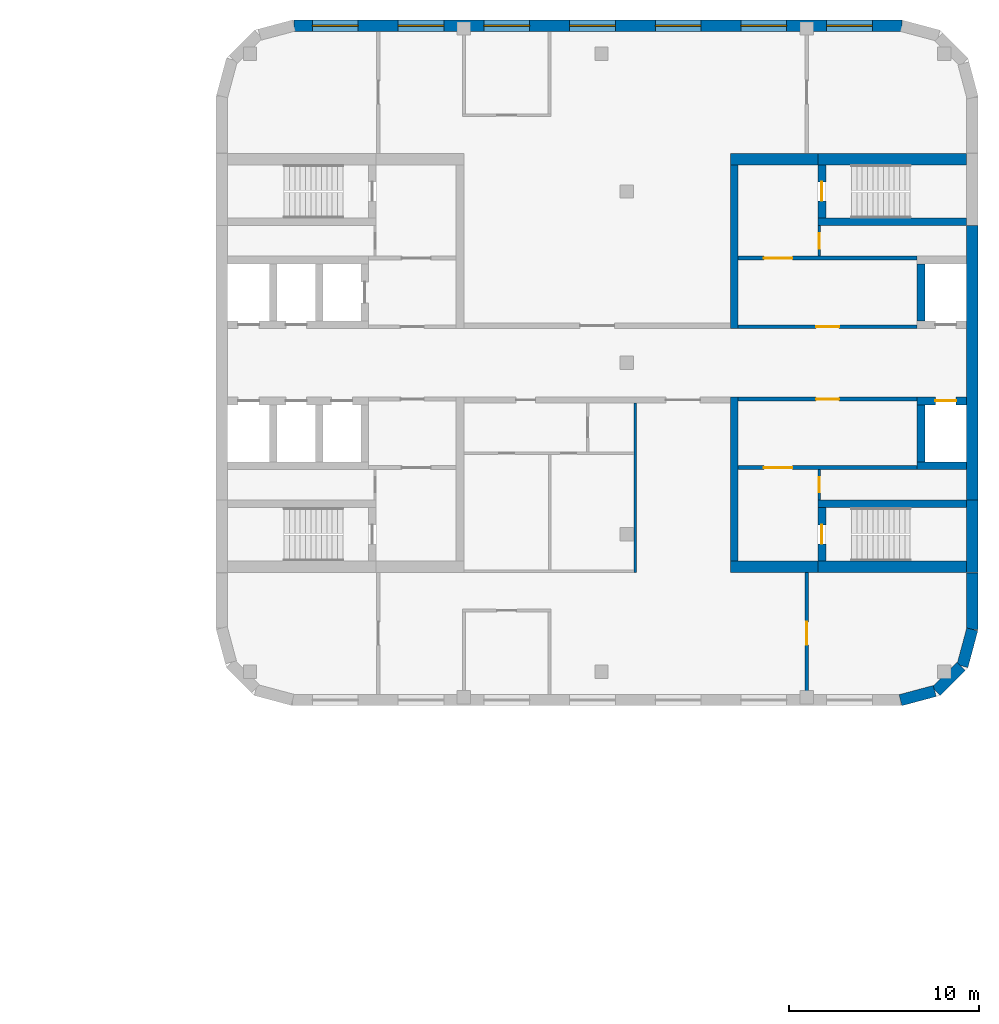
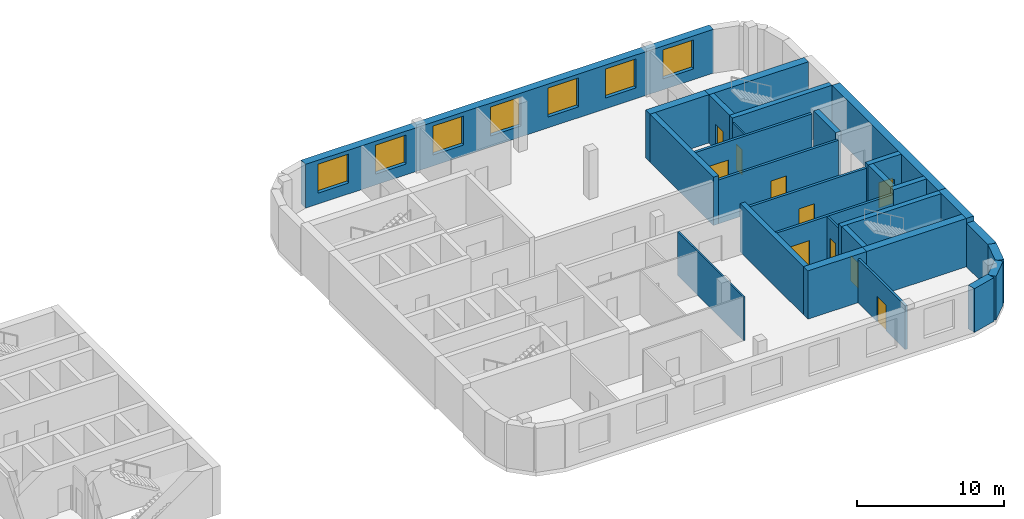
# One storey, part 9 of 16: 29 walls, 10 doors, 7 windows, 17 openings.
"""IFC4 building model written with IfcOpenShell, lengths in metres."""

from ifc_helpers import new_model, si_unit, direction, frame, frame_2d, origin, place, context, subcontext, project, spatial, rectangle, extrude, material, layer, layer_set, type_object, element, fill, save


model = new_model("IFC4")

# Units and contexts
model_context = context("Model", 3, precision=1e-05, world=origin(), true_north=direction((0.0, 1.0)))
body_context = subcontext(model_context, "Body", "Model", "MODEL_VIEW")
ifc_project = project(units=[si_unit("LENGTHUNIT", "METRE"), si_unit("AREAUNIT", "SQUARE_METRE"), si_unit("VOLUMEUNIT", "CUBIC_METRE"), si_unit("PLANEANGLEUNIT", "RADIAN"), si_unit("MASSUNIT", "GRAM", prefix="KILO")], contexts=[model_context])

# Site, building, storey
site_placement = place(None, origin())
site = spatial("IfcSite", under=ifc_project, at=site_placement, CompositionType="ELEMENT")
building_placement = place(site_placement, origin())
building = spatial("IfcBuilding", under=site, at=building_placement, Name="Skarvind Civic Tower", CompositionType="ELEMENT")
storey_placement = place(building_placement, frame((0.0, 0.0, 81.0)))
storey = spatial("IfcBuildingStorey", under=building, at=storey_placement, Name="L18", CompositionType="ELEMENT", Elevation=81.0)

# Wall, opening, door
ifc_material_1 = material(Name="Acoustic gypsum board on steel studs", Category="steel")
ifc_layer_1 = layer(ifc_material_1, 0.175048828125)
ifc_layer_set_1 = layer_set([ifc_layer_1], Name="ACOUSTIC MEETING-ROOM PARTITION 175")
wall_type_1 = type_object("IfcWallType", Name="ACOUSTIC MEETING-ROOM PARTITION 175", PredefinedType="PARTITIONING", material=ifc_layer_set_1)
wall_1_placement = place(storey_placement, frame((158.0, 110.60009765625, 0.0), z_axis=(0.0, 0.0, 1.0), x_axis=(0.0, 1.0, 0.0)))
wall_1 = element("IfcWall", 1, at=wall_1_placement, inside=storey, type_object=wall_type_1, Name="Partition 18.016", PredefinedType="PARTITIONING", context=body_context, shape_type="SweptSolid", body=[
    extrude(rectangle(XDim=6.39990234375, YDim=0.175048828125, at=frame_2d((3.199951171875, 0.0))), origin(), (0.0, 0.0, 1.0), 3.625),
])
opening_1_placement = place(wall_1_placement, frame((2.60009765625, 0.0, 0.0)))
opening_1 = element("IfcOpeningElement", 2, at=opening_1_placement, cuts=wall_1, Name="Opening L18-D112", PredefinedType="OPENING", context=body_context, shape_type="SweptSolid", body=[
    extrude(rectangle(XDim=1.199951171875, YDim=2.10009765625, at=frame_2d((0.60009765625, 1.050048828125))), frame((0.0, 0.097412109375, 0.0), z_axis=(0.0, -1.0, 0.0), x_axis=(1.0, 0.0, 0.0)), (0.0, 0.0, 1.0), 0.195068359375),
])
ifc_material_2 = material(Name="Timber door leaf", Category="wood")
door_type_1 = type_object("IfcDoorType", Name="DOOR 1200X2100 DOUBLE TIMBER", OperationType="NOTDEFINED", PredefinedType="DOOR", material=ifc_material_2)
door_1_placement = place(opening_1_placement, origin())
door_1 = element("IfcDoor", 3, at=door_1_placement, inside=storey, type_object=door_type_1, Name="Door L18-D112", OperationType="DOUBLE_DOOR_SINGLE_SWING", OverallHeight=2.10009765625, OverallWidth=1.199951171875, PredefinedType="DOOR", context=body_context, shape_type="SweptSolid", body=[
    extrude(rectangle(XDim=1.199951171875, YDim=2.10009765625, at=frame_2d((0.60009765625, 1.050048828125))), frame((0.0, 0.02490234375, 0.0), z_axis=(0.0, -1.0, 0.0), x_axis=(1.0, 0.0, 0.0)), (0.0, 0.0, 1.0), 0.050048828125),
])
fill(opening_1, door_1)

ifc_material_3 = material(Name="Fire-rated masonry partition", Category="masonry")
ifc_layer_2 = layer(ifc_material_3, 0.199951171875)
ifc_layer_set_2 = layer_set([ifc_layer_2], Name="Core enclosure wall 200")
wall_type_2 = type_object("IfcWallType", Name="Core enclosure wall 200", PredefinedType="PARTITIONING", material=ifc_layer_set_2)
wall_2_placement = place(storey_placement, frame((163.800048828125, 126.10009765625, 0.0), z_axis=(0.0, 0.0, 1.0), x_axis=(-1.0, 0.0, 0.0)))
wall_2 = element("IfcWall", 4, at=wall_2_placement, inside=storey, type_object=wall_type_2, Name="Core wall CB", PredefinedType="PARTITIONING", context=body_context, shape_type="SweptSolid", body=[
    extrude(rectangle(XDim=9.400146484375, YDim=0.199951171875, at=frame_2d((4.7001953125, 0.0))), origin(), (0.0, 0.0, 1.0), 3.625),
])
opening_2_placement = place(wall_2_placement, frame((4.10009765625, 0.0, 0.0)))
opening_2 = element("IfcOpeningElement", 5, at=opening_2_placement, cuts=wall_2, Name="Opening D-L18-CB-03", PredefinedType="OPENING", context=body_context, shape_type="SweptSolid", body=[
    extrude(rectangle(XDim=1.199951171875, YDim=2.10009765625, at=frame_2d((0.60009765625, 1.050048828125))), frame((0.0, 0.10986328125, 0.0), z_axis=(0.0, -1.0, 0.0), x_axis=(1.0, 0.0, 0.0)), (0.0, 0.0, 1.0), 0.219970703125),
])
ifc_material_4 = material(Name="Fire-rated steel door", Category="steel")
door_type_2 = type_object("IfcDoorType", Name="Core lobby door 1200", OperationType="NOTDEFINED", PredefinedType="DOOR", material=ifc_material_4)
door_2_placement = place(opening_2_placement, origin())
door_2 = element("IfcDoor", 6, at=door_2_placement, inside=storey, type_object=door_type_2, Name="Fire door", OperationType="DOUBLE_DOOR_SINGLE_SWING", OverallHeight=2.10009765625, OverallWidth=1.199951171875, PredefinedType="DOOR", context=body_context, shape_type="SweptSolid", body=[
    extrude(rectangle(XDim=1.199951171875, YDim=2.10009765625, at=frame_2d((0.60009765625, 1.050048828125))), frame((0.0, 0.02490234375, 0.0), z_axis=(0.0, -1.0, 0.0), x_axis=(1.0, 0.0, 0.0)), (0.0, 0.0, 1.0), 0.050048828125),
])
fill(opening_2, door_2)

wall_3_placement = place(storey_placement, frame((163.800048828125, 122.5, 0.0), z_axis=(0.0, 0.0, 1.0), x_axis=(-1.0, 0.0, 0.0)))
wall_3 = element("IfcWall", 7, at=wall_3_placement, inside=storey, type_object=wall_type_2, Name="Core wall CB", PredefinedType="PARTITIONING", context=body_context, shape_type="SweptSolid", body=[
    extrude(rectangle(XDim=9.400146484375, YDim=0.199951171875, at=frame_2d((4.7001953125, 0.0))), origin(), (0.0, 0.0, 1.0), 3.625),
])
opening_3_placement = place(wall_3_placement, frame((6.550048828125, 0.0, 0.0)))
opening_3 = element("IfcOpeningElement", 8, at=opening_3_placement, cuts=wall_3, Name="Opening D-L18-CB-04", PredefinedType="OPENING", context=body_context, shape_type="SweptSolid", body=[
    extrude(rectangle(XDim=1.5, YDim=2.10009765625, at=frame_2d((0.75, 1.050048828125))), frame((0.0, 0.10986328125, 0.0), z_axis=(0.0, -1.0, 0.0), x_axis=(1.0, 0.0, 0.0)), (0.0, 0.0, 1.0), 0.219970703125),
])
door_type_3 = type_object("IfcDoorType", Name="Fire door 1500", OperationType="NOTDEFINED", PredefinedType="DOOR", material=ifc_material_4)
door_3_placement = place(opening_3_placement, origin())
door_3 = element("IfcDoor", 9, at=door_3_placement, inside=storey, type_object=door_type_3, Name="Fire door", OperationType="DOUBLE_DOOR_SINGLE_SWING", OverallHeight=2.10009765625, OverallWidth=1.5, PredefinedType="DOOR", context=body_context, shape_type="SweptSolid", body=[
    extrude(rectangle(XDim=1.5, YDim=2.10009765625, at=frame_2d((0.75, 1.050048828125))), frame((0.0, 0.02490234375, 0.0), z_axis=(0.0, -1.0, 0.0), x_axis=(1.0, 0.0, 0.0)), (0.0, 0.0, 1.0), 0.050048828125),
])
fill(opening_3, door_3)

wall_4_placement = place(storey_placement, frame((154.39990234375, 129.89990234375, 0.0), z_axis=(0.0, 0.0, 1.0), x_axis=(1.0, 0.0, 0.0)))
wall_4 = element("IfcWall", 10, at=wall_4_placement, inside=storey, type_object=wall_type_2, Name="Core wall CB", PredefinedType="PARTITIONING", context=body_context, shape_type="SweptSolid", body=[
    extrude(rectangle(XDim=9.400146484375, YDim=0.199951171875, at=frame_2d((4.7001953125, 0.0))), origin(), (0.0, 0.0, 1.0), 3.625),
])
opening_4_placement = place(wall_4_placement, frame((4.10009765625, 0.0, 0.0)))
opening_4 = element("IfcOpeningElement", 11, at=opening_4_placement, cuts=wall_4, Name="Opening D-L18-CB-07", PredefinedType="OPENING", context=body_context, shape_type="SweptSolid", body=[
    extrude(rectangle(XDim=1.199951171875, YDim=2.10009765625, at=frame_2d((0.60009765625, 1.050048828125))), frame((0.0, 0.10986328125, 0.0), z_axis=(0.0, -1.0, 0.0), x_axis=(1.0, 0.0, 0.0)), (0.0, 0.0, 1.0), 0.219970703125),
])
door_4_placement = place(opening_4_placement, origin())
door_4 = element("IfcDoor", 12, at=door_4_placement, inside=storey, type_object=door_type_2, Name="Fire door", OperationType="DOUBLE_DOOR_SINGLE_SWING", OverallHeight=2.10009765625, OverallWidth=1.199951171875, PredefinedType="DOOR", context=body_context, shape_type="SweptSolid", body=[
    extrude(rectangle(XDim=1.199951171875, YDim=2.10009765625, at=frame_2d((0.60009765625, 1.050048828125))), frame((0.0, 0.02490234375, 0.0), z_axis=(0.0, -1.0, 0.0), x_axis=(1.0, 0.0, 0.0)), (0.0, 0.0, 1.0), 0.050048828125),
])
fill(opening_4, door_4)

wall_5_placement = place(storey_placement, frame((154.39990234375, 133.5, 0.0), z_axis=(0.0, 0.0, 1.0), x_axis=(1.0, 0.0, 0.0)))
wall_5 = element("IfcWall", 13, at=wall_5_placement, inside=storey, type_object=wall_type_2, Name="Core wall CB", PredefinedType="PARTITIONING", context=body_context, shape_type="SweptSolid", body=[
    extrude(rectangle(XDim=9.400146484375, YDim=0.199951171875, at=frame_2d((4.7001953125, 0.0))), origin(), (0.0, 0.0, 1.0), 3.625),
])
opening_5_placement = place(wall_5_placement, frame((1.35009765625, 0.0, 0.0)))
opening_5 = element("IfcOpeningElement", 14, at=opening_5_placement, cuts=wall_5, Name="Opening D-L18-CB-08", PredefinedType="OPENING", context=body_context, shape_type="SweptSolid", body=[
    extrude(rectangle(XDim=1.5, YDim=2.10009765625, at=frame_2d((0.75, 1.050048828125))), frame((0.0, 0.10986328125, 0.0), z_axis=(0.0, -1.0, 0.0), x_axis=(1.0, 0.0, 0.0)), (0.0, 0.0, 1.0), 0.219970703125),
])
door_5_placement = place(opening_5_placement, origin())
door_5 = element("IfcDoor", 15, at=door_5_placement, inside=storey, type_object=door_type_3, Name="Fire door", OperationType="DOUBLE_DOOR_SINGLE_SWING", OverallHeight=2.10009765625, OverallWidth=1.5, PredefinedType="DOOR", context=body_context, shape_type="SweptSolid", body=[
    extrude(rectangle(XDim=1.5, YDim=2.10009765625, at=frame_2d((0.75, 1.050048828125))), frame((0.0, 0.02490234375, 0.0), z_axis=(0.0, -1.0, 0.0), x_axis=(1.0, 0.0, 0.0)), (0.0, 0.0, 1.0), 0.050048828125),
])
fill(opening_5, door_5)

# Wall
ifc_material_5 = material(Name="Concrete C80", Category="concrete")
ifc_layer_3 = layer(ifc_material_5, 0.39990234375)
ifc_layer_set_3 = layer_set([ifc_layer_3], Name="Core wall 400 C80")
wall_type_3 = type_object("IfcWallType", Name="Core wall 400 C80", PredefinedType="SHEAR", material=ifc_layer_set_3)
wall_6_placement = place(storey_placement, frame((166.39990234375, 135.39990234375, 0.0), z_axis=(0.0, 0.0, 1.0), x_axis=(-1.0, 0.0, 0.0)))
element("IfcWall", 16, at=wall_6_placement, inside=storey, type_object=wall_type_3, Name="Core wall CB south stair inner L18", PredefinedType="SHEAR", context=body_context, shape_type="SweptSolid", body=[
    extrude(rectangle(XDim=7.7998046875, YDim=0.39990234375, at=frame_2d((3.89990234375, 0.0))), origin(), (0.0, 0.0, 1.0), 4.0),
])

# Wall, opening, door
wall_7_placement = place(storey_placement, frame((158.800048828125, 138.39990234375, 0.0), z_axis=(0.0, 0.0, 1.0), x_axis=(0.0, -1.0, 0.0)))
wall_7 = element("IfcWall", 17, at=wall_7_placement, inside=storey, type_object=wall_type_3, Name="Core wall CB south stair end L18", PredefinedType="SHEAR", context=body_context, shape_type="SweptSolid", body=[
    extrude(rectangle(XDim=2.7998046875, YDim=0.39990234375, at=frame_2d((1.39990234375, 0.0))), origin(), (0.0, 0.0, 1.0), 4.0),
])
opening_6_placement = place(wall_7_placement, frame((0.89990234375, 0.0, 0.0)))
opening_6 = element("IfcOpeningElement", 18, at=opening_6_placement, cuts=wall_7, Name="Opening D-L18-CB-09", PredefinedType="OPENING", context=body_context, shape_type="SweptSolid", body=[
    extrude(rectangle(XDim=1.0, YDim=2.10009765625, at=frame_2d((0.5, 1.050048828125))), frame((0.0, 0.2099609375, 0.0), z_axis=(0.0, -1.0, 0.0), x_axis=(1.0, 0.0, 0.0)), (0.0, 0.0, 1.0), 0.419921875),
])
door_type_4 = type_object("IfcDoorType", Name="Fire door 1000", OperationType="NOTDEFINED", PredefinedType="DOOR", material=ifc_material_4)
door_6_placement = place(opening_6_placement, origin())
door_6 = element("IfcDoor", 19, at=door_6_placement, inside=storey, type_object=door_type_4, Name="Fire door", OperationType="SINGLE_SWING_RIGHT", OverallHeight=2.10009765625, OverallWidth=1.0, PredefinedType="DOOR", context=body_context, shape_type="SweptSolid", body=[
    extrude(rectangle(XDim=1.0, YDim=2.10009765625, at=frame_2d((0.5, 1.050048828125))), frame((0.0, 0.02490234375, 0.0), z_axis=(0.0, -1.0, 0.0), x_axis=(1.0, 0.0, 0.0)), (0.0, 0.0, 1.0), 0.050048828125),
])
fill(opening_6, door_6)

# Wall
wall_8_placement = place(storey_placement, frame((166.39990234375, 120.60009765625, 0.0), z_axis=(0.0, 0.0, 1.0), x_axis=(-1.0, 0.0, 0.0)))
element("IfcWall", 20, at=wall_8_placement, inside=storey, type_object=wall_type_3, Name="Core wall CB north stair inner L18", PredefinedType="SHEAR", context=body_context, shape_type="SweptSolid", body=[
    extrude(rectangle(XDim=7.7998046875, YDim=0.39990234375, at=frame_2d((3.89990234375, 0.0))), origin(), (0.0, 0.0, 1.0), 4.0),
])

# Wall, opening, door
wall_9_placement = place(storey_placement, frame((158.800048828125, 120.39990234375, 0.0), z_axis=(0.0, 0.0, 1.0), x_axis=(0.0, -1.0, 0.0)))
wall_9 = element("IfcWall", 21, at=wall_9_placement, inside=storey, type_object=wall_type_3, Name="Core wall CB north stair end L18", PredefinedType="SHEAR", context=body_context, shape_type="SweptSolid", body=[
    extrude(rectangle(XDim=2.7998046875, YDim=0.39990234375, at=frame_2d((1.39990234375, 0.0))), origin(), (0.0, 0.0, 1.0), 4.0),
])
opening_7_placement = place(wall_9_placement, frame((0.89990234375, 0.0, 0.0)))
opening_7 = element("IfcOpeningElement", 22, at=opening_7_placement, cuts=wall_9, Name="Opening D-L18-CB-05", PredefinedType="OPENING", context=body_context, shape_type="SweptSolid", body=[
    extrude(rectangle(XDim=1.0, YDim=2.10009765625, at=frame_2d((0.5, 1.050048828125))), frame((0.0, 0.2099609375, 0.0), z_axis=(0.0, -1.0, 0.0), x_axis=(1.0, 0.0, 0.0)), (0.0, 0.0, 1.0), 0.419921875),
])
door_7_placement = place(opening_7_placement, origin())
door_7 = element("IfcDoor", 23, at=door_7_placement, inside=storey, type_object=door_type_4, Name="Fire door", OperationType="SINGLE_SWING_LEFT", OverallHeight=2.10009765625, OverallWidth=1.0, PredefinedType="DOOR", context=body_context, shape_type="SweptSolid", body=[
    extrude(rectangle(XDim=1.0, YDim=2.10009765625, at=frame_2d((0.5, 1.050048828125))), frame((0.0, 0.02490234375, 0.0), z_axis=(0.0, -1.0, 0.0), x_axis=(1.0, 0.0, 0.0)), (0.0, 0.0, 1.0), 0.050048828125),
])
fill(opening_7, door_7)

# Wall
wall_10_placement = place(storey_placement, frame((164.0, 133.199951171875, 0.0), z_axis=(0.0, 0.0, 1.0), x_axis=(0.0, -1.0, 0.0)))
element("IfcWall", 24, at=wall_10_placement, inside=storey, type_object=wall_type_3, Name="Core wall CB south lift row division 1 L18", PredefinedType="SHEAR", context=body_context, shape_type="SweptSolid", body=[
    extrude(rectangle(XDim=3.0, YDim=0.39990234375, at=frame_2d((1.5, 0.0))), origin(), (0.0, 0.0, 1.0), 4.0),
])

# Wall, opening, door
wall_11_placement = place(storey_placement, frame((166.39990234375, 126.0, 0.0), z_axis=(0.0, 0.0, 1.0), x_axis=(-1.0, 0.0, 0.0)))
wall_11 = element("IfcWall", 25, at=wall_11_placement, inside=storey, type_object=wall_type_3, Name="Core wall CB north lift row front L18", PredefinedType="SHEAR", context=body_context, shape_type="SweptSolid", body=[
    extrude(rectangle(XDim=2.599853515625, YDim=0.39990234375, at=frame_2d((1.2998046875, 0.0))), origin(), (0.0, 0.0, 1.0), 4.0),
])
opening_8_placement = place(wall_11_placement, frame((0.550048828125, 0.0, 0.0)))
opening_8 = element("IfcOpeningElement", 26, at=opening_8_placement, cuts=wall_11, Name="Opening LD20401", PredefinedType="OPENING", context=body_context, shape_type="SweptSolid", body=[
    extrude(rectangle(XDim=1.10009765625, YDim=2.10009765625, at=frame_2d((0.550048828125, 1.050048828125))), frame((0.0, 0.2099609375, 0.0), z_axis=(0.0, -1.0, 0.0), x_axis=(1.0, 0.0, 0.0)), (0.0, 0.0, 1.0), 0.419921875),
])
ifc_material_6 = material(Name="Stainless steel landing door", Category="steel")
door_type_5 = type_object("IfcDoorType", Name="Lift landing door 1100", OperationType="DOUBLE_DOOR_SLIDING", PredefinedType="DOOR", material=ifc_material_6)
door_8_placement = place(opening_8_placement, origin())
door_8 = element("IfcDoor", 27, at=door_8_placement, inside=storey, type_object=door_type_5, Name="Lift landing door", OperationType="DOUBLE_DOOR_SLIDING", OverallHeight=2.10009765625, OverallWidth=1.10009765625, PredefinedType="DOOR", context=body_context, shape_type="SweptSolid", body=[
    extrude(rectangle(XDim=1.10009765625, YDim=2.10009765625, at=frame_2d((0.550048828125, 1.050048828125))), frame((0.0, 0.02490234375, 0.0), z_axis=(0.0, -1.0, 0.0), x_axis=(1.0, 0.0, 0.0)), (0.0, 0.0, 1.0), 0.050048828125),
])
fill(opening_8, door_8)

# Walls
wall_12_placement = place(storey_placement, frame((166.39990234375, 122.60009765625, 0.0), z_axis=(0.0, 0.0, 1.0), x_axis=(-1.0, 0.0, 0.0)))
element("IfcWall", 28, at=wall_12_placement, inside=storey, type_object=wall_type_3, Name="Core wall CB north lift row back L18", PredefinedType="SHEAR", context=body_context, shape_type="SweptSolid", body=[
    extrude(rectangle(XDim=2.599853515625, YDim=0.39990234375, at=frame_2d((1.2998046875, 0.0))), origin(), (0.0, 0.0, 1.0), 4.0),
])
wall_13_placement = place(storey_placement, frame((164.0, 125.800048828125, 0.0), z_axis=(0.0, 0.0, 1.0), x_axis=(0.0, -1.0, 0.0)))
element("IfcWall", 29, at=wall_13_placement, inside=storey, type_object=wall_type_3, Name="Core wall CB north lift row division 1 L18", PredefinedType="SHEAR", context=body_context, shape_type="SweptSolid", body=[
    extrude(rectangle(XDim=3.0, YDim=0.39990234375, at=frame_2d((1.5, 0.0))), origin(), (0.0, 0.0, 1.0), 4.0),
])
for number, where, z_axis, x_axis, name in (
    (30, (154.199951171875, 138.39990234375, 0.0), (0.0, 0.0, 1.0), (0.0, -1.0, 0.0), "Core wall CB south inner face L18"),
    (31, (154.199951171875, 126.199951171875, 0.0), (0.0, 0.0, 1.0), (0.0, -1.0, 0.0), "Core wall CB north inner face L18"),
):
    element("IfcWall", number, at=place(storey_placement, frame(where, z_axis=z_axis, x_axis=x_axis)), inside=storey, type_object=wall_type_3, Name=name, PredefinedType="SHEAR", context=body_context, shape_type="SweptSolid", body=[
        extrude(rectangle(XDim=8.599853515625, YDim=0.39990234375, at=frame_2d((4.2998046875, 0.0))), origin(), (0.0, 0.0, 1.0), 4.0),
    ])
ifc_layer_4 = layer(ifc_material_5, 0.60009765625)
ifc_layer_set_4 = layer_set([ifc_layer_4], Name="Core wall 600 C80")
wall_type_4 = type_object("IfcWallType", Name="Core wall 600 C80", PredefinedType="SHEAR", material=ifc_layer_set_4)
wall_14_placement = place(storey_placement, frame((166.699951171875, 135.199951171875, 0.0), z_axis=(0.0, 0.0, 1.0), x_axis=(0.0, -1.0, 0.0)))
element("IfcWall", 32, at=wall_14_placement, inside=storey, type_object=wall_type_4, Name="Core wall CB tip between the stairs L18", PredefinedType="SHEAR", context=body_context, shape_type="SweptSolid", body=[
    extrude(rectangle(XDim=14.39990234375, YDim=0.60009765625, at=frame_2d((7.199951171875, 0.0))), origin(), (0.0, 0.0, 1.0), 4.0),
])
wall_15_placement = place(storey_placement, frame((166.699951171875, 120.800048828125, 0.0), z_axis=(0.0, 0.0, 1.0), x_axis=(0.0, -1.0, 0.0)))
element("IfcWall", 33, at=wall_15_placement, inside=storey, type_object=wall_type_4, Name="Core wall CB tip at the north stair L18", PredefinedType="SHEAR", context=body_context, shape_type="SweptSolid", body=[
    extrude(rectangle(XDim=3.800048828125, YDim=0.60009765625, at=frame_2d((1.89990234375, 0.0))), origin(), (0.0, 0.0, 1.0), 4.0),
])
for number, where, z_axis, x_axis, name in (
    (34, (166.39990234375, 138.699951171875, 0.0), (0.0, 0.0, 1.0), (-1.0, 0.0, 0.0), "Core wall CB south side at the stair L18"),
    (35, (166.39990234375, 117.300048828125, 0.0), (0.0, 0.0, 1.0), (-1.0, 0.0, 0.0), "Core wall CB north side at the stair L18"),
):
    element("IfcWall", number, at=place(storey_placement, frame(where, z_axis=z_axis, x_axis=x_axis)), inside=storey, type_object=wall_type_4, Name=name, PredefinedType="SHEAR", context=body_context, shape_type="SweptSolid", body=[
        extrude(rectangle(XDim=7.7998046875, YDim=0.60009765625, at=frame_2d((3.89990234375, 0.0))), origin(), (0.0, 0.0, 1.0), 4.0),
    ])
for number, where, z_axis, x_axis, name in (
    (36, (158.60009765625, 138.699951171875, 0.0), (0.0, 0.0, 1.0), (-1.0, 0.0, 0.0), "Core wall CB south side L18"),
    (37, (158.60009765625, 117.300048828125, 0.0), (0.0, 0.0, 1.0), (-1.0, 0.0, 0.0), "Core wall CB north side L18"),
):
    element("IfcWall", number, at=place(storey_placement, frame(where, z_axis=z_axis, x_axis=x_axis)), inside=storey, type_object=wall_type_4, Name=name, PredefinedType="SHEAR", context=body_context, shape_type="SweptSolid", body=[
        extrude(rectangle(XDim=4.60009765625, YDim=0.60009765625, at=frame_2d((2.300048828125, 0.0))), origin(), (0.0, 0.0, 1.0), 4.0),
    ])

# Wall, opening, door
ifc_layer_5 = layer(ifc_material_3, 0.125)
ifc_layer_set_5 = layer_set([ifc_layer_5], Name="Riser wall 125")
wall_type_5 = type_object("IfcWallType", Name="Riser wall 125", PredefinedType="PARTITIONING", material=ifc_layer_set_5)
wall_16_placement = place(storey_placement, frame((158.66259765625, 120.800048828125, 0.0), z_axis=(0.0, 0.0, 1.0), x_axis=(0.0, 1.0, 0.0)))
wall_16 = element("IfcWall", 38, at=wall_16_placement, inside=storey, type_object=wall_type_5, Name="Core wall CB", PredefinedType="PARTITIONING", context=body_context, shape_type="SweptSolid", body=[
    extrude(rectangle(XDim=1.599853515625, YDim=0.125, at=frame_2d((0.7998046875, 0.0))), origin(), (0.0, 0.0, 1.0), 3.625),
])
opening_9_placement = place(wall_16_placement, frame((0.39990234375, 0.0, 0.0)))
opening_9 = element("IfcOpeningElement", 39, at=opening_9_placement, cuts=wall_16, Name="Opening D-L18-CB-06", PredefinedType="OPENING", context=body_context, shape_type="SweptSolid", body=[
    extrude(rectangle(XDim=0.800048828125, YDim=2.10009765625, at=frame_2d((0.39990234375, 1.050048828125))), frame((0.0, 0.072509765625, 0.0), z_axis=(0.0, -1.0, 0.0), x_axis=(1.0, 0.0, 0.0)), (0.0, 0.0, 1.0), 0.14501953125),
])
door_type_6 = type_object("IfcDoorType", Name="Core riser door 800", OperationType="NOTDEFINED", PredefinedType="DOOR", material=ifc_material_4)
door_9_placement = place(opening_9_placement, origin())
door_9 = element("IfcDoor", 40, at=door_9_placement, inside=storey, type_object=door_type_6, Name="Riser door", OperationType="SINGLE_SWING_RIGHT", OverallHeight=2.10009765625, OverallWidth=0.800048828125, PredefinedType="DOOR", context=body_context, shape_type="SweptSolid", body=[
    extrude(rectangle(XDim=0.800048828125, YDim=2.10009765625, at=frame_2d((0.39990234375, 1.050048828125))), frame((0.0, 0.02490234375, 0.0), z_axis=(0.0, -1.0, 0.0), x_axis=(1.0, 0.0, 0.0)), (0.0, 0.0, 1.0), 0.050048828125),
])
fill(opening_9, door_9)

wall_17_placement = place(storey_placement, frame((158.66259765625, 133.60009765625, 0.0), z_axis=(0.0, 0.0, 1.0), x_axis=(0.0, 1.0, 0.0)))
wall_17 = element("IfcWall", 41, at=wall_17_placement, inside=storey, type_object=wall_type_5, Name="Core wall CB", PredefinedType="PARTITIONING", context=body_context, shape_type="SweptSolid", body=[
    extrude(rectangle(XDim=1.599853515625, YDim=0.125, at=frame_2d((0.7998046875, 0.0))), origin(), (0.0, 0.0, 1.0), 3.625),
])
opening_10_placement = place(wall_17_placement, frame((0.39990234375, 0.0, 0.0)))
opening_10 = element("IfcOpeningElement", 42, at=opening_10_placement, cuts=wall_17, Name="Opening D-L18-CB-10", PredefinedType="OPENING", context=body_context, shape_type="SweptSolid", body=[
    extrude(rectangle(XDim=0.800048828125, YDim=2.10009765625, at=frame_2d((0.39990234375, 1.050048828125))), frame((0.0, 0.072509765625, 0.0), z_axis=(0.0, -1.0, 0.0), x_axis=(1.0, 0.0, 0.0)), (0.0, 0.0, 1.0), 0.14501953125),
])
door_10_placement = place(opening_10_placement, origin())
door_10 = element("IfcDoor", 43, at=door_10_placement, inside=storey, type_object=door_type_6, Name="Riser door", OperationType="SINGLE_SWING_LEFT", OverallHeight=2.10009765625, OverallWidth=0.800048828125, PredefinedType="DOOR", context=body_context, shape_type="SweptSolid", body=[
    extrude(rectangle(XDim=0.800048828125, YDim=2.10009765625, at=frame_2d((0.39990234375, 1.050048828125))), frame((0.0, 0.02490234375, 0.0), z_axis=(0.0, -1.0, 0.0), x_axis=(1.0, 0.0, 0.0)), (0.0, 0.0, 1.0), 0.050048828125),
])
fill(opening_10, door_10)

# Wall
ifc_material_7 = material(Name="Moisture-resistant gypsum board on steel studs", Category="steel")
ifc_layer_6 = layer(ifc_material_7, 0.125)
ifc_layer_set_6 = layer_set([ifc_layer_6], Name="WC PARTITION 125")
wall_type_6 = type_object("IfcWallType", Name="WC PARTITION 125", PredefinedType="PARTITIONING", material=ifc_layer_set_6)
wall_18_placement = place(storey_placement, frame((149.0, 116.988037109375, 0.0), z_axis=(0.0, 0.0, 1.0), x_axis=(0.0, 1.0, 0.0)))
element("IfcWall", 44, at=wall_18_placement, inside=storey, type_object=wall_type_6, Name="Partition 18.014", PredefinedType="PARTITIONING", context=body_context, shape_type="SweptSolid", body=[
    extrude(rectangle(XDim=8.911865234375, YDim=0.125, at=frame_2d((4.4560546875, 0.0))), origin(), (0.0, 0.0, 1.0), 3.625),
])

# Wall, openings, windows
ifc_material_8 = material(Name="Limestone masonry cladding on insulated backing", Category="masonry")
ifc_layer_7 = layer(ifc_material_8, 0.60009765625)
ifc_layer_set_7 = layer_set([ifc_layer_7], Name="WX1 STONE FACADE WALL 600")
wall_type_7 = type_object("IfcWallType", Name="WX1 STONE FACADE WALL 600", PredefinedType="SOLIDWALL", material=ifc_layer_set_7)
wall_19_placement = place(storey_placement, frame((131.070068359375, 145.699951171875, 0.0), z_axis=(0.0, 0.0, 1.0), x_axis=(1.0, 0.0, 0.0)))
wall_19 = element("IfcWall", 45, at=wall_19_placement, inside=storey, type_object=wall_type_7, Name="STONE FACADE WALL", PredefinedType="SOLIDWALL", context=body_context, shape_type="SweptSolid", body=[
    extrude(rectangle(XDim=31.929931640625, YDim=0.60009765625, at=frame_2d((15.96484375, 0.0))), origin(), (0.0, 0.0, 1.0), 3.625),
])
opening_11_placement = place(wall_19_placement, frame((0.97998046875, 0.0, 0.89990234375)))
opening_11 = element("IfcOpeningElement", 46, at=opening_11_placement, cuts=wall_19, Name="Opening WN9", PredefinedType="OPENING", context=body_context, shape_type="SweptSolid", body=[
    extrude(rectangle(XDim=2.39990234375, YDim=2.39990234375, at=frame_2d((1.199951171875, 1.199951171875))), frame((0.0, 0.31005859375, 0.0), z_axis=(0.0, -1.0, 0.0), x_axis=(1.0, 0.0, 0.0)), (0.0, 0.0, 1.0), 0.6201171875),
])
opening_12_placement = place(wall_19_placement, frame((5.47998046875, 0.0, 0.89990234375)))
opening_12 = element("IfcOpeningElement", 47, at=opening_12_placement, cuts=wall_19, Name="Opening WN9", PredefinedType="OPENING", context=body_context, shape_type="SweptSolid", body=[
    extrude(rectangle(XDim=2.39990234375, YDim=2.39990234375, at=frame_2d((1.199951171875, 1.199951171875))), frame((0.0, 0.31005859375, 0.0), z_axis=(0.0, -1.0, 0.0), x_axis=(1.0, 0.0, 0.0)), (0.0, 0.0, 1.0), 0.6201171875),
])
opening_13_placement = place(wall_19_placement, frame((9.97998046875, 0.0, 0.89990234375)))
opening_13 = element("IfcOpeningElement", 48, at=opening_13_placement, cuts=wall_19, Name="Opening WN9", PredefinedType="OPENING", context=body_context, shape_type="SweptSolid", body=[
    extrude(rectangle(XDim=2.39990234375, YDim=2.39990234375, at=frame_2d((1.199951171875, 1.199951171875))), frame((0.0, 0.31005859375, 0.0), z_axis=(0.0, -1.0, 0.0), x_axis=(1.0, 0.0, 0.0)), (0.0, 0.0, 1.0), 0.6201171875),
])
opening_14_placement = place(wall_19_placement, frame((14.47998046875, 0.0, 0.89990234375)))
opening_14 = element("IfcOpeningElement", 49, at=opening_14_placement, cuts=wall_19, Name="Opening WN9", PredefinedType="OPENING", context=body_context, shape_type="SweptSolid", body=[
    extrude(rectangle(XDim=2.39990234375, YDim=2.39990234375, at=frame_2d((1.199951171875, 1.199951171875))), frame((0.0, 0.31005859375, 0.0), z_axis=(0.0, -1.0, 0.0), x_axis=(1.0, 0.0, 0.0)), (0.0, 0.0, 1.0), 0.6201171875),
])
opening_15_placement = place(wall_19_placement, frame((18.97998046875, 0.0, 0.89990234375)))
opening_15 = element("IfcOpeningElement", 50, at=opening_15_placement, cuts=wall_19, Name="Opening WN9", PredefinedType="OPENING", context=body_context, shape_type="SweptSolid", body=[
    extrude(rectangle(XDim=2.39990234375, YDim=2.39990234375, at=frame_2d((1.199951171875, 1.199951171875))), frame((0.0, 0.31005859375, 0.0), z_axis=(0.0, -1.0, 0.0), x_axis=(1.0, 0.0, 0.0)), (0.0, 0.0, 1.0), 0.6201171875),
])
opening_16_placement = place(wall_19_placement, frame((23.47998046875, 0.0, 0.89990234375)))
opening_16 = element("IfcOpeningElement", 51, at=opening_16_placement, cuts=wall_19, Name="Opening WN9", PredefinedType="OPENING", context=body_context, shape_type="SweptSolid", body=[
    extrude(rectangle(XDim=2.39990234375, YDim=2.39990234375, at=frame_2d((1.199951171875, 1.199951171875))), frame((0.0, 0.31005859375, 0.0), z_axis=(0.0, -1.0, 0.0), x_axis=(1.0, 0.0, 0.0)), (0.0, 0.0, 1.0), 0.6201171875),
])
opening_17_placement = place(wall_19_placement, frame((27.97998046875, 0.0, 0.89990234375)))
opening_17 = element("IfcOpeningElement", 52, at=opening_17_placement, cuts=wall_19, Name="Opening WN9", PredefinedType="OPENING", context=body_context, shape_type="SweptSolid", body=[
    extrude(rectangle(XDim=2.39990234375, YDim=2.39990234375, at=frame_2d((1.199951171875, 1.199951171875))), frame((0.0, 0.31005859375, 0.0), z_axis=(0.0, -1.0, 0.0), x_axis=(1.0, 0.0, 0.0)), (0.0, 0.0, 1.0), 0.6201171875),
])
ifc_material_9 = material(Name="Timber frame, double glazing, timber-lined reveal", Category="wood")
window_type = type_object("IfcWindowType", Name="WN9 COMPANION TOWER WINDOW 2400 x 2400", PartitioningType="SINGLE_PANEL", PredefinedType="WINDOW", material=ifc_material_9)
window_1_placement = place(opening_11_placement, origin())
window_1 = element("IfcWindow", 53, at=window_1_placement, inside=storey, type_object=window_type, Name="WN9 WINDOW", OverallHeight=2.39990234375, OverallWidth=2.39990234375, PartitioningType="SINGLE_PANEL", PredefinedType="WINDOW", context=body_context, shape_type="SweptSolid", body=[
    extrude(rectangle(XDim=2.39990234375, YDim=2.39990234375, at=frame_2d((1.199951171875, 1.199951171875))), frame((0.0, 0.030029296875, 0.0), z_axis=(0.0, -1.0, 0.0), x_axis=(1.0, 0.0, 0.0)), (0.0, 0.0, 1.0), 0.06005859375),
])
fill(opening_11, window_1)
window_2_placement = place(opening_12_placement, origin())
window_2 = element("IfcWindow", 54, at=window_2_placement, inside=storey, type_object=window_type, Name="WN9 WINDOW", OverallHeight=2.39990234375, OverallWidth=2.39990234375, PartitioningType="SINGLE_PANEL", PredefinedType="WINDOW", context=body_context, shape_type="SweptSolid", body=[
    extrude(rectangle(XDim=2.39990234375, YDim=2.39990234375, at=frame_2d((1.199951171875, 1.199951171875))), frame((0.0, 0.030029296875, 0.0), z_axis=(0.0, -1.0, 0.0), x_axis=(1.0, 0.0, 0.0)), (0.0, 0.0, 1.0), 0.06005859375),
])
fill(opening_12, window_2)
window_3_placement = place(opening_13_placement, origin())
window_3 = element("IfcWindow", 55, at=window_3_placement, inside=storey, type_object=window_type, Name="WN9 WINDOW", OverallHeight=2.39990234375, OverallWidth=2.39990234375, PartitioningType="SINGLE_PANEL", PredefinedType="WINDOW", context=body_context, shape_type="SweptSolid", body=[
    extrude(rectangle(XDim=2.39990234375, YDim=2.39990234375, at=frame_2d((1.199951171875, 1.199951171875))), frame((0.0, 0.030029296875, 0.0), z_axis=(0.0, -1.0, 0.0), x_axis=(1.0, 0.0, 0.0)), (0.0, 0.0, 1.0), 0.06005859375),
])
fill(opening_13, window_3)
window_4_placement = place(opening_14_placement, origin())
window_4 = element("IfcWindow", 56, at=window_4_placement, inside=storey, type_object=window_type, Name="WN9 WINDOW", OverallHeight=2.39990234375, OverallWidth=2.39990234375, PartitioningType="SINGLE_PANEL", PredefinedType="WINDOW", context=body_context, shape_type="SweptSolid", body=[
    extrude(rectangle(XDim=2.39990234375, YDim=2.39990234375, at=frame_2d((1.199951171875, 1.199951171875))), frame((0.0, 0.030029296875, 0.0), z_axis=(0.0, -1.0, 0.0), x_axis=(1.0, 0.0, 0.0)), (0.0, 0.0, 1.0), 0.06005859375),
])
fill(opening_14, window_4)
window_5_placement = place(opening_15_placement, origin())
window_5 = element("IfcWindow", 57, at=window_5_placement, inside=storey, type_object=window_type, Name="WN9 WINDOW", OverallHeight=2.39990234375, OverallWidth=2.39990234375, PartitioningType="SINGLE_PANEL", PredefinedType="WINDOW", context=body_context, shape_type="SweptSolid", body=[
    extrude(rectangle(XDim=2.39990234375, YDim=2.39990234375, at=frame_2d((1.199951171875, 1.199951171875))), frame((0.0, 0.030029296875, 0.0), z_axis=(0.0, -1.0, 0.0), x_axis=(1.0, 0.0, 0.0)), (0.0, 0.0, 1.0), 0.06005859375),
])
fill(opening_15, window_5)
window_6_placement = place(opening_16_placement, origin())
window_6 = element("IfcWindow", 58, at=window_6_placement, inside=storey, type_object=window_type, Name="WN9 WINDOW", OverallHeight=2.39990234375, OverallWidth=2.39990234375, PartitioningType="SINGLE_PANEL", PredefinedType="WINDOW", context=body_context, shape_type="SweptSolid", body=[
    extrude(rectangle(XDim=2.39990234375, YDim=2.39990234375, at=frame_2d((1.199951171875, 1.199951171875))), frame((0.0, 0.030029296875, 0.0), z_axis=(0.0, -1.0, 0.0), x_axis=(1.0, 0.0, 0.0)), (0.0, 0.0, 1.0), 0.06005859375),
])
fill(opening_16, window_6)
window_7_placement = place(opening_17_placement, origin())
window_7 = element("IfcWindow", 59, at=window_7_placement, inside=storey, type_object=window_type, Name="WN9 WINDOW", OverallHeight=2.39990234375, OverallWidth=2.39990234375, PartitioningType="SINGLE_PANEL", PredefinedType="WINDOW", context=body_context, shape_type="SweptSolid", body=[
    extrude(rectangle(XDim=2.39990234375, YDim=2.39990234375, at=frame_2d((1.199951171875, 1.199951171875))), frame((0.0, 0.030029296875, 0.0), z_axis=(0.0, -1.0, 0.0), x_axis=(1.0, 0.0, 0.0)), (0.0, 0.0, 1.0), 0.06005859375),
])
fill(opening_17, window_7)

# Walls
for number, where, z_axis, x_axis, name in (
    (60, (164.719482421875, 110.771240234375, 0.0), (0.0, 0.0, 1.0), (-0.965938094805, -0.258773254036, 0.0), "STONE FACADE WALL"),
    (61, (166.103515625, 112.063720703125, 0.0), (0.0, 0.0, 1.0), (-0.707106781187, -0.707106781187, 0.0), "STONE FACADE WALL"),
):
    element("IfcWall", number, at=place(storey_placement, frame(where, z_axis=z_axis, x_axis=x_axis)), inside=storey, type_object=wall_type_7, Name=name, PredefinedType="SOLIDWALL", context=body_context, shape_type="SweptSolid", body=[
        extrude(rectangle(XDim=1.860595703125, YDim=0.60009765625, at=frame_2d((0.93017578125, 0.0))), origin(), (0.0, 0.0, 1.0), 3.625),
    ])
wall_20_placement = place(storey_placement, frame((166.692138671875, 114.010009765625, 0.0), z_axis=(0.0, 0.0, 1.0), x_axis=(-0.258839784042, -0.965920269068, 0.0)))
element("IfcWall", 62, at=wall_20_placement, inside=storey, type_object=wall_type_7, Name="STONE FACADE WALL", PredefinedType="SOLIDWALL", context=body_context, shape_type="SweptSolid", body=[
    extrude(rectangle(XDim=2.00048828125, YDim=0.60009765625, at=frame_2d((1.000244140625, 0.0))), origin(), (0.0, 0.0, 1.0), 3.625),
])
wall_21_placement = place(storey_placement, frame((166.699951171875, 116.97998046875, 0.0), z_axis=(0.0, 0.0, 1.0), x_axis=(0.0, -1.0, 0.0)))
element("IfcWall", 63, at=wall_21_placement, inside=storey, type_object=wall_type_7, Name="STONE FACADE WALL", PredefinedType="SOLIDWALL", context=body_context, shape_type="SweptSolid", body=[
    extrude(rectangle(XDim=2.97998046875, YDim=0.60009765625, at=frame_2d((1.489990234375, 0.0))), origin(), (0.0, 0.0, 1.0), 3.625),
])

save(model, "model.ifc")
